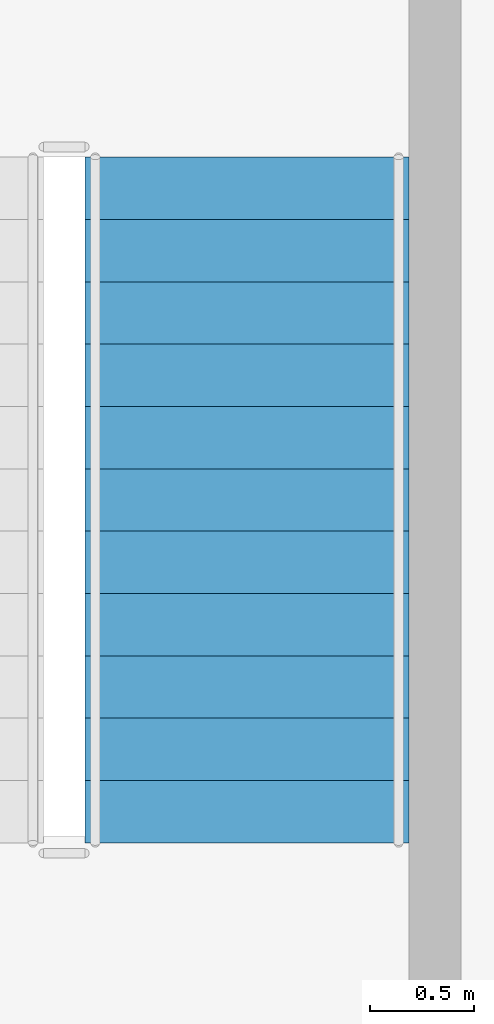
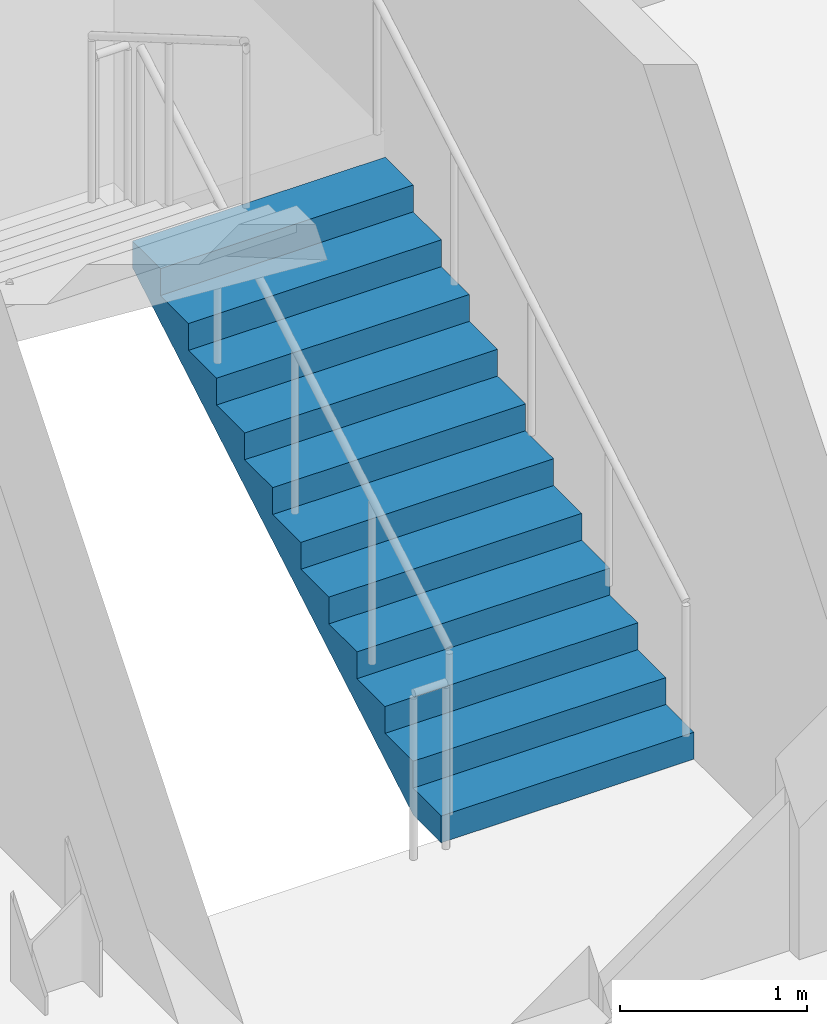
# One storey, part 14 of 17: 1 stair flight, 1 element without a shape of its own.
"""IFC4 building model written with IfcOpenShell, lengths in metres."""

from ifc_helpers import new_model, si_unit, direction, frame, origin, place, context, subcontext, project, spatial, polyline, outline, extrude, material, type_object, element, aggregate, save


model = new_model("IFC4")

# Units and contexts
model_context = context("Model", 3, precision=1e-05, world=origin(), true_north=direction((0.0, 1.0)))
body_context = subcontext(model_context, "Body", "Model", "MODEL_VIEW")
ifc_project = project(units=[si_unit("LENGTHUNIT", "METRE"), si_unit("AREAUNIT", "SQUARE_METRE"), si_unit("VOLUMEUNIT", "CUBIC_METRE"), si_unit("PLANEANGLEUNIT", "RADIAN"), si_unit("MASSUNIT", "GRAM", prefix="KILO")], contexts=[model_context])

# Site, building, storey
site_placement = place(None, origin())
site = spatial("IfcSite", under=ifc_project, at=site_placement, CompositionType="ELEMENT")
building_placement = place(site_placement, origin())
building = spatial("IfcBuilding", under=site, at=building_placement, Name="Quillay Park Conservatory", CompositionType="ELEMENT")
storey_placement = place(building_placement, frame((0.0, 0.0, 56.10009765625)))
storey = spatial("IfcBuildingStorey", under=building, at=storey_placement, Name="L13", CompositionType="ELEMENT", Elevation=56.10009765625)

# Stair, stair flight
ifc_material_1 = material(Name="Concrete C35/45 (NCh170 Concrete C35/45)", Category="concrete")
stair_type = type_object("IfcStairType", Name="ENCLOSED DOG LEG STAIR 4200", PredefinedType="HALF_TURN_STAIR", material=ifc_material_1)
stair_placement = place(storey_placement, origin())
stair = element("IfcStair", 1, at=stair_placement, inside=storey, type_object=stair_type, Name="L13 Tower Protected Exit Stair 1", PredefinedType="HALF_TURN_STAIR")
ifc_material_2 = material(Name="Concrete C35/45 (NCh170 Concrete C35/45)", Category="concrete")
stair_flight_type = type_object("IfcStairFlightType", Name="STRAIGHT STAIR FLIGHT 4200", PredefinedType="STRAIGHT", material=ifc_material_2)
stair_flight_placement = place(storey_placement, frame((11.090087890625, 92.550048828125, 0.0), z_axis=(0.0, 0.0, 1.0), x_axis=(0.0, 1.0, 0.0)))
stair_flight = element("IfcStairFlight", 2, at=stair_flight_placement, type_object=stair_flight_type, Name="ST-T1 flight 1", NumberOfRisers=12, NumberOfTreads=11, PredefinedType="STRAIGHT", RiserHeight=0.175, TreadLength=0.3, context=body_context, shape_type="SweptSolid", body=[
    extrude(outline(polyline([(0.0, 0.0), (0.0, 0.175048828125), (0.300048828125, 0.175048828125), (0.300048828125, 0.35009765625), (0.60009765625, 0.35009765625), (0.60009765625, 0.52490234375), (0.89990234375, 0.52490234375), (0.89990234375, 0.699951171875), (1.199951171875, 0.699951171875), (1.199951171875, 0.875), (1.5, 0.875), (1.5, 1.050048828125), (1.800048828125, 1.050048828125), (1.800048828125, 1.22509765625), (2.10009765625, 1.22509765625), (2.10009765625, 1.39990234375), (2.39990234375, 1.39990234375), (2.39990234375, 1.574951171875), (2.699951171875, 1.574951171875), (2.699951171875, 1.75), (3.0, 1.75), (3.0, 1.925048828125), (3.300048828125, 1.925048828125), (3.300048828125, 2.10009765625), (3.300048828125, 1.75146484375), (0.297607421875, 0.0), (0.0, 0.0)])), frame((0.0, 0.780029296875, 0.0), z_axis=(0.0, -1.0, 0.0), x_axis=(1.0, 0.0, 0.0)), (0.0, 0.0, 1.0), 1.56005859375),
])
aggregate(stair, [stair_flight])

save(model, "model.ifc")
